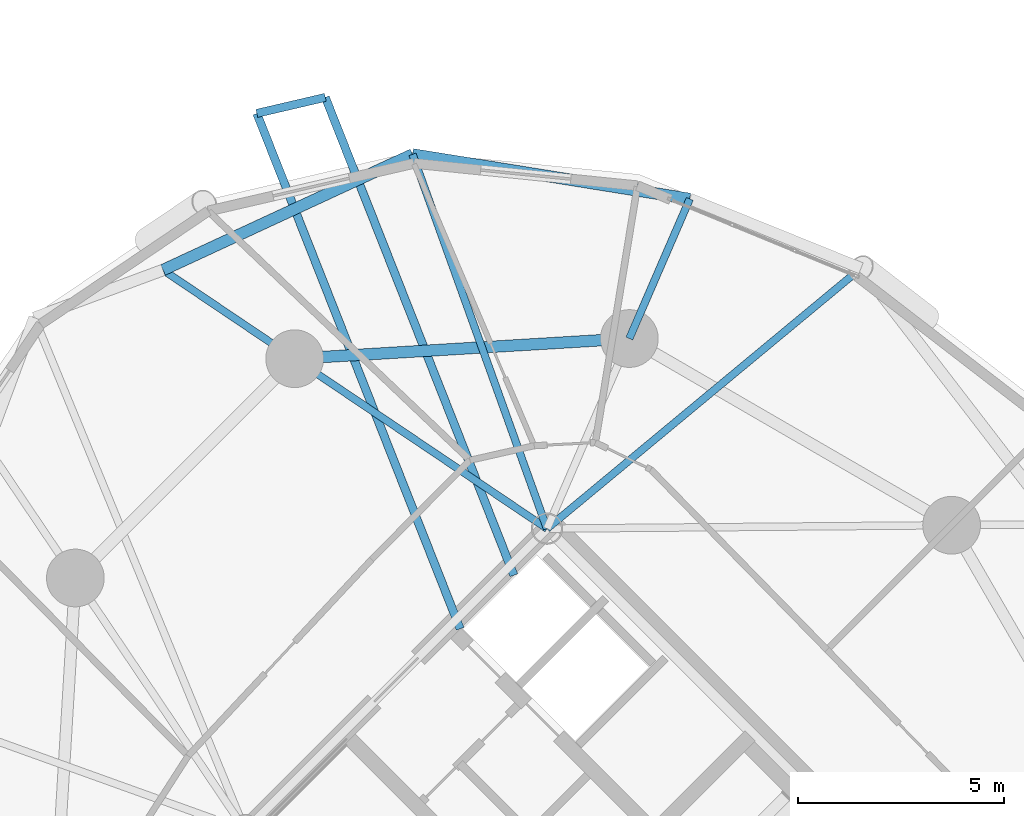
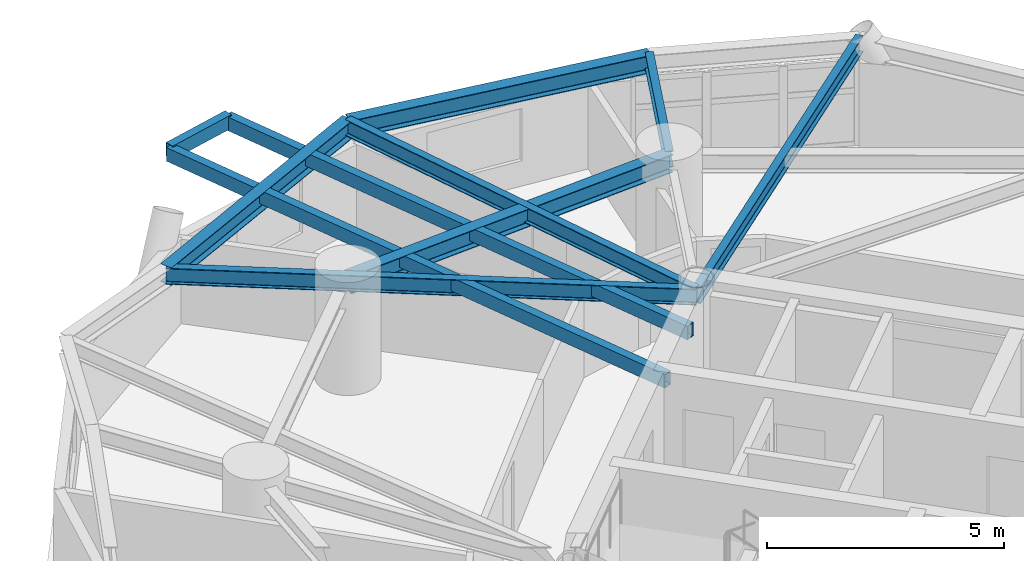
# One storey, part 6 of 17: 10 beams.
"""IFC4 building model written with IfcOpenShell, lengths in metres."""

from ifc_helpers import new_model, si_unit, direction, frame, origin, origin_2d, place, context, subcontext, project, spatial, hollow_rectangle, i_section, extrude, material, material_profile, profile_set, type_object, element, save


model = new_model("IFC4")

# Units and contexts
model_context = context("Model", 3, precision=1e-05, world=origin(), true_north=direction((0.0, 1.0)))
body_context = subcontext(model_context, "Body", "Model", "MODEL_VIEW")
ifc_project = project(units=[si_unit("LENGTHUNIT", "METRE"), si_unit("AREAUNIT", "SQUARE_METRE"), si_unit("VOLUMEUNIT", "CUBIC_METRE"), si_unit("PLANEANGLEUNIT", "RADIAN"), si_unit("MASSUNIT", "GRAM", prefix="KILO")], contexts=[model_context])

# Site, building, storey
site_placement = place(None, origin())
site = spatial("IfcSite", under=ifc_project, at=site_placement, CompositionType="ELEMENT")
building_placement = place(site_placement, origin())
building = spatial("IfcBuilding", under=site, at=building_placement, Name="Cununo Teusaquillo Station Towers", CompositionType="ELEMENT")
storey_placement = place(building_placement, frame((0.0, 0.0, 81.7900390625)))
storey = spatial("IfcBuildingStorey", under=building, at=storey_placement, Name="L25", CompositionType="ELEMENT", Elevation=81.7900390625)

# Beams
ifc_material_1 = material(Name="Steel EN 10025-2 S355J2", Category="steel")
ifc_material_profile_1 = material_profile(ifc_material_1, hollow_rectangle(XDim=0.199951171875, YDim=0.35009765625, WallThickness=0.013916015625, at=origin_2d()), Name="RHS 350x200x14")
ifc_profile_set_1 = profile_set([ifc_material_profile_1], Name="Steel EN 10025-2 S355J2")
beam_type_1 = type_object("IfcBeamType", Name="BM-BAL-CANT", PredefinedType="BEAM", material=ifc_profile_set_1)
beam_1_placement = place(storey_placement, frame((55.48974609375, 31.894287109375, 2.494873046875), z_axis=(-0.367001462432, 0.930220364523, 0.0), x_axis=(-0.930220364523, -0.367001462432, 0.0)))
element("IfcBeam", 1, at=beam_1_placement, inside=storey, type_object=beam_type_1, Name="L25 Tower B Balcony Cantilever Bracket 1A", PredefinedType="BEAM", context=body_context, shape_type="SweptSolid", body=[
    extrude(hollow_rectangle(XDim=0.199951171875, YDim=0.35009765625, WallThickness=0.013916015625, at=origin_2d()), origin(), (0.0, 0.0, 1.0), 12.459716796875),
])
beam_2_placement = place(storey_placement, frame((54.188720703125, 30.593505859375, 2.494873046875), z_axis=(-0.367008555132, 0.930217566196, 0.0), x_axis=(-0.930217566196, -0.367008555132, 0.0)))
element("IfcBeam", 2, at=beam_2_placement, inside=storey, type_object=beam_type_1, Name="L25 Tower B Balcony Cantilever Bracket 1B", PredefinedType="BEAM", context=body_context, shape_type="SweptSolid", body=[
    extrude(hollow_rectangle(XDim=0.199951171875, YDim=0.35009765625, WallThickness=0.013916015625, at=origin_2d()), origin(), (0.0, 0.0, 1.0), 13.44140625),
])
ifc_material_2 = material(Name="Steel ASTM A572 Grade 50", Category="steel")
ifc_material_profile_2 = material_profile(ifc_material_2, i_section(OverallWidth=0.180908203125, OverallDepth=0.4169921875, WebThickness=0.010986328125, FlangeThickness=0.018310546875, FilletRadius=0.012939453125, at=origin_2d()), Name="W16X57")
ifc_profile_set_2 = profile_set([ifc_material_profile_2], Name="Steel ASTM A572 Grade 50")
beam_type_2 = type_object("IfcBeamType", Name="BM-JOIST-1", PredefinedType="JOIST", material=ifc_profile_set_2)
beam_3_placement = place(storey_placement, frame((56.29443359375, 33.024169921875, 2.46142578125), z_axis=(0.769727799615, 0.638372238196, 0.0), x_axis=(-0.638372238196, 0.769727799615, 0.0)))
element("IfcBeam", 3, at=beam_3_placement, inside=storey, type_object=beam_type_2, Name="L25 Tower B Radial Spandrel Joist V01", PredefinedType="JOIST", context=body_context, shape_type="SweptSolid", body=[
    extrude(i_section(OverallWidth=0.180908203125, OverallDepth=0.4169921875, WebThickness=0.010986328125, FlangeThickness=0.018310546875, FilletRadius=0.012939453125, at=origin_2d()), origin(), (0.0, 0.0, 1.0), 9.895263671875),
])
beam_4_placement = place(storey_placement, frame((56.29443359375, 33.024169921875, 2.46142578125), z_axis=(-0.338176312038, 0.941082771055, 0.0), x_axis=(-0.941082771055, -0.338176312038, 0.0)))
element("IfcBeam", 4, at=beam_4_placement, inside=storey, type_object=beam_type_2, Name="L25 Tower B Radial Spandrel Joist V03", PredefinedType="JOIST", context=body_context, shape_type="SweptSolid", body=[
    extrude(i_section(OverallWidth=0.180908203125, OverallDepth=0.4169921875, WebThickness=0.010986328125, FlangeThickness=0.018310546875, FilletRadius=0.012939453125, at=origin_2d()), origin(), (0.0, 0.0, 1.0), 9.646484375),
])
ifc_material_3 = material(Name="Steel ASTM A572 Grade 50", Category="steel")
ifc_material_profile_3 = material_profile(ifc_material_3, i_section(OverallWidth=0.180908203125, OverallDepth=0.4169921875, WebThickness=0.010986328125, FlangeThickness=0.018310546875, FilletRadius=0.012939453125, at=origin_2d()), Name="W16X57")
ifc_profile_set_3 = profile_set([ifc_material_profile_3], Name="Steel ASTM A572 Grade 50")
beam_type_3 = type_object("IfcBeamType", Name="BM-RAD-G2", PredefinedType="BEAM", material=ifc_profile_set_3)
beam_5_placement = place(storey_placement, frame((58.291015625, 37.63525390625, 2.46142578125), z_axis=(0.397421761279, 0.917636062751, 0.0), x_axis=(-0.917636062751, 0.397421761279, 0.0)))
element("IfcBeam", 5, at=beam_5_placement, inside=storey, type_object=beam_type_3, Name="L25 Tower B Perimeter Overhang Girder 02B", PredefinedType="BEAM", context=body_context, shape_type="SweptSolid", body=[
    extrude(i_section(OverallWidth=0.180908203125, OverallDepth=0.4169921875, WebThickness=0.010986328125, FlangeThickness=0.018310546875, FilletRadius=0.012939453125, at=origin_2d()), origin(), (0.0, 0.0, 1.0), 3.690185546875),
])
beam_6_placement = place(storey_placement, frame((56.29443359375, 33.024169921875, 2.46142578125), z_axis=(-0.82945583878, 0.558572297481, 0.0), x_axis=(-0.558572297481, -0.82945583878, 0.0)))
element("IfcBeam", 6, at=beam_6_placement, inside=storey, type_object=beam_type_3, Name="L25 Tower B Continuous Overhanging Radial Girder 03", PredefinedType="BEAM", context=body_context, shape_type="SweptSolid", body=[
    extrude(i_section(OverallWidth=0.180908203125, OverallDepth=0.4169921875, WebThickness=0.010986328125, FlangeThickness=0.018310546875, FilletRadius=0.012939453125, at=origin_2d()), origin(), (0.0, 0.0, 1.0), 11.22998046875),
])
ifc_material_4 = material(Name="Steel ASTM A572 Grade 50", Category="steel")
ifc_material_profile_4 = material_profile(ifc_material_4, i_section(OverallWidth=0.280029296875, OverallDepth=0.462890625, WebThickness=0.0107421875, FlangeThickness=0.017333984375, FilletRadius=0.013916015625, at=origin_2d()), Name="W18X76")
ifc_profile_set_4 = profile_set([ifc_material_profile_4], Name="Steel ASTM A572 Grade 50")
beam_type_4 = type_object("IfcBeamType", Name="BM-RING-Z2", PredefinedType="SPANDREL", material=ifc_profile_set_4)
beam_7_placement = place(storey_placement, frame((58.291015625, 37.63525390625, 2.4384765625), z_axis=(-0.998190567048, -0.06012979176, 0.0), x_axis=(0.06012979176, -0.998190567048, 0.0)))
element("IfcBeam", 7, at=beam_7_placement, inside=storey, type_object=beam_type_4, Name="L25 Tower B Structural Column Ring Girder 02", PredefinedType="SPANDREL", context=body_context, shape_type="SweptSolid", body=[
    extrude(i_section(OverallWidth=0.280029296875, OverallDepth=0.462890625, WebThickness=0.0107421875, FlangeThickness=0.017333984375, FilletRadius=0.013916015625, at=origin_2d()), origin(), (0.0, 0.0, 1.0), 8.132568359375),
])
beam_8_placement = place(storey_placement, frame((59.757568359375, 41.021484375, 2.4384765625), z_axis=(-0.987331474246, 0.158671232312, 0.0), x_axis=(-0.158671232312, -0.987331474246, 0.0)))
element("IfcBeam", 8, at=beam_8_placement, inside=storey, type_object=beam_type_4, Name="L25 Tower B Spandrel Ring Beam 03", PredefinedType="SPANDREL", context=body_context, shape_type="SweptSolid", body=[
    extrude(i_section(OverallWidth=0.280029296875, OverallDepth=0.462890625, WebThickness=0.0107421875, FlangeThickness=0.017333984375, FilletRadius=0.013916015625, at=origin_2d()), origin(), (0.0, 0.0, 1.0), 6.8115234375),
])
beam_9_placement = place(storey_placement, frame((53.0322265625, 42.102294921875, 2.4384765625), z_axis=(-0.907275870354, -0.420535961689, 0.0), x_axis=(0.420535961689, -0.907275870354, 0.0)))
element("IfcBeam", 9, at=beam_9_placement, inside=storey, type_object=beam_type_4, Name="L25 Tower B Spandrel Ring Beam 04", PredefinedType="SPANDREL", context=body_context, shape_type="SweptSolid", body=[
    extrude(i_section(OverallWidth=0.280029296875, OverallDepth=0.462890625, WebThickness=0.0107421875, FlangeThickness=0.017333984375, FilletRadius=0.013916015625, at=origin_2d()), origin(), (0.0, 0.0, 1.0), 6.671142578125),
])
ifc_material_5 = material(Name="Steel EN 10025-2 S355J2", Category="steel")
ifc_material_profile_5 = material_profile(ifc_material_5, hollow_rectangle(XDim=0.199951171875, YDim=0.35009765625, WallThickness=0.013916015625, at=origin_2d()), Name="RHS 350x200x14")
ifc_profile_set_5 = profile_set([ifc_material_profile_5], Name="Steel EN 10025-2 S355J2")
beam_type_5 = type_object("IfcBeamType", Name="BM-STAIR-TRIM", PredefinedType="BEAM", material=ifc_profile_set_5)
beam_10_placement = place(storey_placement, frame((50.9169921875, 43.484619140625, 2.52490234375), z_axis=(-0.973835931599, -0.22725223503, 0.0), x_axis=(0.22725223503, -0.973835931599, 0.0)))
element("IfcBeam", 10, at=beam_10_placement, inside=storey, type_object=beam_type_5, Name="L25 Tower B Balcony Edge Trimmer Beam 1", PredefinedType="BEAM", context=body_context, shape_type="SweptSolid", body=[
    extrude(hollow_rectangle(XDim=0.199951171875, YDim=0.35009765625, WallThickness=0.013916015625, at=origin_2d()), origin(), (0.0, 0.0, 1.0), 1.7060546875),
])

save(model, "model.ifc")
